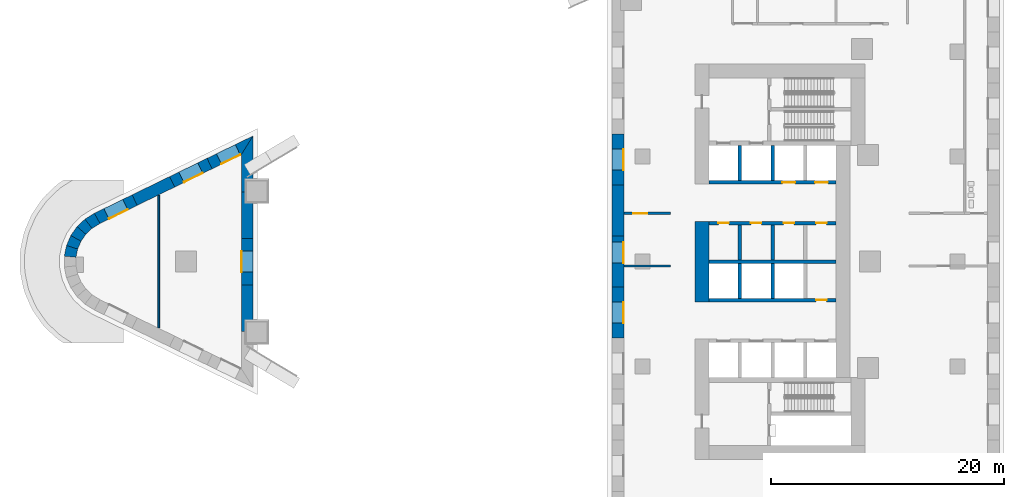
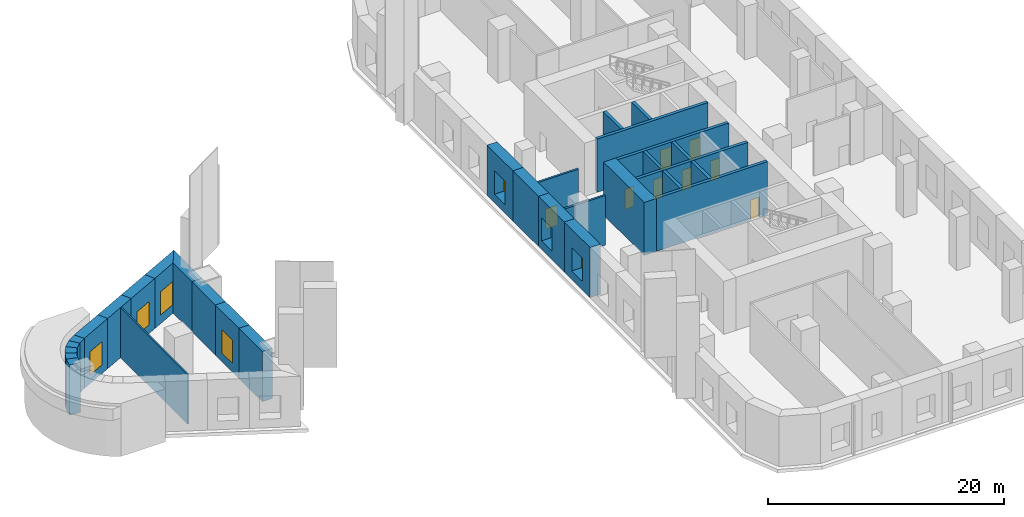
# One storey, part 3 of 13: 31 walls, 8 doors, 7 windows, 15 openings.
"""IFC4 building model written with IfcOpenShell, lengths in metres."""

import ifcopenshell
import ifcopenshell.guid

model = None  # the IFC model being written
_history = None  # IfcOwnerHistory: only IFC2X3 demands one
_inside = {}  # id of a spatial element -> (the spatial element, [elements in it])
_under = {}  # id of a project, library or spatial element -> (it, [spatial elements below it])
_declared = {}  # id of a project -> (the project, [libraries it declares])
_typed = {}  # id of a type object -> (the type object, [elements of that type])
_made_of = {}  # id of a material, layer set ... -> (it, [elements and type objects made of it])


def new_model(schema):
    """Start an empty IFC model of exactly this schema.

    Asked for "IFC4X3", IfcOpenShell would pick the latest addendum, in which some entities
    have other attributes; the version numbers below select the first issue.
    IFC2X3 requires an IfcOwnerHistory on every rooted entity: one is made here for all.
    """
    global model, _history
    if schema == "IFC4X3":
        model = ifcopenshell.file(schema_version=(4, 3, 0, 0))
    else:
        model = ifcopenshell.file(schema=schema)
    _inside.clear()
    _under.clear()
    _declared.clear()
    _typed.clear()
    _made_of.clear()
    _history = None
    if model.schema == "IFC2X3":
        org = make("IfcOrganization", Name="unknown")
        user = make(
            "IfcPersonAndOrganization",
            ThePerson=make("IfcPerson", FamilyName="unknown"),
            TheOrganization=org,
        )
        app = make(
            "IfcApplication",
            ApplicationDeveloper=org,
            Version="unknown",
            ApplicationFullName="unknown",
            ApplicationIdentifier="unknown",
        )
        _history = make(
            "IfcOwnerHistory",
            OwningUser=user,
            OwningApplication=app,
            ChangeAction="ADDED",
            CreationDate=0,
        )
    return model


def make(cls, **values):
    """One entity of the class cls with the attributes given. An attribute that is None is left unset."""
    return model.create_entity(
        cls, **{name: value for name, value in values.items() if value is not None}
    )


def rooted(cls, **values):
    """An entity with a GlobalId (a new one), such as an element, a storey or a relation."""
    return make(cls, GlobalId=ifcopenshell.guid.new(), OwnerHistory=_history, **values)


def si_unit(unit_type, name, prefix=None):
    """IfcSIUnit, for example si_unit("LENGTHUNIT", "METRE", prefix="MILLI")."""
    return make("IfcSIUnit", UnitType=unit_type, Prefix=prefix, Name=name)


def assignment(units):
    """IfcUnitAssignment: the units of a project."""
    return None if units is None else make("IfcUnitAssignment", Units=units)


def point(xyz):
    """IfcCartesianPoint."""
    return None if xyz is None else make("IfcCartesianPoint", Coordinates=xyz)


def direction(xyz):
    """IfcDirection."""
    return None if xyz is None else make("IfcDirection", DirectionRatios=xyz)


def frame(location, z_axis=None, x_axis=None):
    """IfcAxis2Placement3D, a coordinate frame: its origin and axes. An axis left out is left unset."""
    return make(
        "IfcAxis2Placement3D",
        Location=point(location),
        Axis=direction(z_axis),
        RefDirection=direction(x_axis),
    )


def frame_2d(location, x_axis=None):
    """IfcAxis2Placement2D, a coordinate frame in the plane: its origin and x axis."""
    return make(
        "IfcAxis2Placement2D", Location=point(location), RefDirection=direction(x_axis)
    )


def origin():
    """The frame at (0, 0, 0) with its axes left unset."""
    return frame((0.0, 0.0, 0.0))


def place(relative_to, where):
    """IfcLocalPlacement: puts the frame where relative to a parent placement (None: the world)."""
    return make(
        "IfcLocalPlacement", PlacementRelTo=relative_to, RelativePlacement=where
    )


def context(
    kind, dimensions, precision=None, world=None, true_north=None, identifier=None
):
    """IfcGeometricRepresentationContext, for example the 3D "Model" context."""
    return make(
        "IfcGeometricRepresentationContext",
        ContextIdentifier=identifier,
        ContextType=kind,
        CoordinateSpaceDimension=dimensions,
        Precision=precision,
        WorldCoordinateSystem=world,
        TrueNorth=true_north,
    )


def subcontext(parent, identifier, kind, view, scale=None):
    """IfcGeometricRepresentationSubContext, for example "Body" below "Model"."""
    return make(
        "IfcGeometricRepresentationSubContext",
        ContextIdentifier=identifier,
        ContextType=kind,
        ParentContext=parent,
        TargetScale=scale,
        TargetView=view,
    )


def project(units=None, contexts=None):
    """IfcProject with its units and contexts."""
    return rooted(
        "IfcProject",
        Name="project",
        RepresentationContexts=contexts,
        UnitsInContext=assignment(units),
    )


def spatial(cls, under=None, at=None, **own):
    """A site, building, storey or space (cls), placed at a placement, below another one or the project."""
    s = rooted(cls, ObjectPlacement=at, **own)
    if under is not None:
        _under.setdefault(under.id(), (under, []))[1].append(s)
    return s


def polyline(points):
    """IfcPolyline through the points."""
    return make("IfcPolyline", Points=[point(p) for p in points])


def profile(cls, at=None, kind="AREA", **sizes):
    """A parametric profile (cls). Its sizes go by their IFC names, for example OverallWidth=200.0."""
    return make(cls, ProfileType=kind, Position=at, **sizes)


def rectangle(**sizes):
    """IfcRectangleProfileDef."""
    return profile("IfcRectangleProfileDef", **sizes)


def outline(outer, holes=None, kind="AREA"):
    """IfcArbitraryClosedProfileDef: a profile drawn as a closed curve; with holes, ...WithVoids."""
    if holes is None:
        return make("IfcArbitraryClosedProfileDef", ProfileType=kind, OuterCurve=outer)
    return make(
        "IfcArbitraryProfileDefWithVoids",
        ProfileType=kind,
        OuterCurve=outer,
        InnerCurves=holes,
    )


def extrude(swept, where, along, depth):
    """IfcExtrudedAreaSolid: the profile swept, set in the frame where, extruded along a direction by depth."""
    return make(
        "IfcExtrudedAreaSolid",
        SweptArea=swept,
        Position=where,
        ExtrudedDirection=direction(along),
        Depth=depth,
    )


def shape(context_of_items, identifier, shape_type, items):
    """IfcShapeRepresentation: the items that make up one representation, for example the "Body"."""
    return make(
        "IfcShapeRepresentation",
        ContextOfItems=context_of_items,
        RepresentationIdentifier=identifier,
        RepresentationType=shape_type,
        Items=items,
    )


def material(Name=None, Category=None):
    """IfcMaterial."""
    return make("IfcMaterial", Name=Name, Category=Category)


def layer(
    of_material, thickness, ventilated=None, Name=None, Category=None, Priority=None
):
    """IfcMaterialLayer: one layer of a wall or slab, of a material (None: an air gap)."""
    return make(
        "IfcMaterialLayer",
        Material=of_material,
        LayerThickness=thickness,
        IsVentilated=ventilated,
        Name=Name,
        Category=Category,
        Priority=Priority,
    )


def layer_set(layers, Name=None):
    """IfcMaterialLayerSet."""
    return make("IfcMaterialLayerSet", MaterialLayers=layers, LayerSetName=Name)


def made_of(thing, what):
    """Note that an element or type object is made of a material, layer set ...; save() writes the relation."""
    if what is not None:
        _made_of.setdefault(what.id(), (what, []))[1].append(thing)
    return thing


def type_object(cls, material=None, **own):
    """A type object (cls), such as IfcWallType, which elements share."""
    return made_of(rooted(cls, **own), material)


def element(
    cls,
    number,
    at=None,
    inside=None,
    cuts=None,
    type_object=None,
    material=None,
    context=None,
    identifier="Body",
    shape_type=None,
    held_by="IfcProductDefinitionShape",
    body=None,
    shapes=None,
    **own,
):
    """One element of the class cls, such as IfcWall. Its Tag is "e" and its number.

    at: its placement. inside: the storey or other place that contains it. cuts: it is an
    opening in that element (IfcRelVoidsElement). A single representation is given by context,
    identifier, shape_type and body (its items); several are given by shapes. held_by: the class
    of the entity that holds the representations. save() writes the other relations.
    """
    e = rooted(cls, Tag="e%d" % number, ObjectPlacement=at, **own)
    if body is not None:
        shapes = [shape(context, identifier, shape_type, body)]
    if shapes is not None:
        e.Representation = make(held_by, Representations=shapes)
    if inside is not None:
        _inside.setdefault(inside.id(), (inside, []))[1].append(e)
    if cuts is not None:
        rooted(
            "IfcRelVoidsElement", RelatingBuildingElement=cuts, RelatedOpeningElement=e
        )
    if type_object is not None:
        _typed.setdefault(type_object.id(), (type_object, []))[1].append(e)
    return made_of(e, material)


def fill(opening, filler):
    """IfcRelFillsElement: the door or window that sits in an opening."""
    return rooted(
        "IfcRelFillsElement",
        RelatingOpeningElement=opening,
        RelatedBuildingElement=filler,
    )


def aggregate(whole, parts):
    """IfcRelAggregates: a whole, such as a stair, and the parts it consists of."""
    return rooted("IfcRelAggregates", RelatingObject=whole, RelatedObjects=parts)


def save(model, path):
    """Write the relations noted so far, then the file.

    IfcRelAggregates (storeys below a building ...), IfcRelContainedInSpatialStructure (elements
    in a storey), IfcRelDefinesByType, IfcRelAssociatesMaterial and IfcRelDeclares: one each for
    every whole, place, type object, material and project.
    """
    for whole, parts in _under.values():
        aggregate(whole, parts)
    for where, things in _inside.values():
        rooted(
            "IfcRelContainedInSpatialStructure",
            RelatedElements=things,
            RelatingStructure=where,
        )
    for kind, things in _typed.values():
        rooted("IfcRelDefinesByType", RelatedObjects=things, RelatingType=kind)
    for what, things in _made_of.values():
        rooted("IfcRelAssociatesMaterial", RelatedObjects=things, RelatingMaterial=what)
    for by, libraries in _declared.values():
        rooted("IfcRelDeclares", RelatingContext=by, RelatedDefinitions=libraries)
    model.write(path)


model = new_model("IFC4")

# Units and contexts
model_context = context("Model", 3, precision=1e-05, world=origin(), true_north=direction((0.0, 1.0)))
body_context = subcontext(model_context, "Body", "Model", "MODEL_VIEW")
ifc_project = project(units=[si_unit("LENGTHUNIT", "METRE"), si_unit("AREAUNIT", "SQUARE_METRE"), si_unit("VOLUMEUNIT", "CUBIC_METRE"), si_unit("PLANEANGLEUNIT", "RADIAN"), si_unit("MASSUNIT", "GRAM", prefix="KILO")], contexts=[model_context])

# Site, building, storey
site_placement = place(None, origin())
site = spatial("IfcSite", under=ifc_project, at=site_placement, CompositionType="ELEMENT")
building_placement = place(site_placement, origin())
building = spatial("IfcBuilding", under=site, at=building_placement, Name="Ostrand Prow Hotel Tower", CompositionType="ELEMENT")
storey_placement = place(building_placement, frame((0.0, 0.0, 13.5)))
storey = spatial("IfcBuildingStorey", under=building, at=storey_placement, Name="L02", CompositionType="ELEMENT", Elevation=13.5)

# Walls
ifc_material_1 = material(Name="Concrete C80/95", Category="concrete")
ifc_layer_1 = layer(ifc_material_1, 1.199951171875)
ifc_layer_set_1 = layer_set([ifc_layer_1], Name="Concrete C80/95")
wall_type_1 = type_object("IfcWallType", Name="Core wall 1200 C80/95", PredefinedType="SHEAR", material=ifc_layer_set_1)
wall_1_placement = place(storey_placement, frame((50.10009765625, -3.449951171875, 0.0), z_axis=(0.0, 0.0, 1.0), x_axis=(0.0, 1.0, 0.0)))
element("IfcWall", 1, at=wall_1_placement, inside=storey, type_object=wall_type_1, Name="Core wall CW-W-C", PredefinedType="SHEAR", context=body_context, shape_type="SweptSolid", body=[
    extrude(rectangle(XDim=6.89990234375, YDim=1.199951171875, at=frame_2d((3.449951171875, 0.0))), origin(), (0.0, 0.0, 1.0), 5.5),
])
ifc_material_2 = material(Name="Concrete C80/95", Category="concrete")
ifc_layer_2 = layer(ifc_material_2, 0.300048828125)
ifc_layer_set_2 = layer_set([ifc_layer_2], Name="Concrete C80/95")
wall_type_2 = type_object("IfcWallType", Name="Core wall 300 C80/95", PredefinedType="SHEAR", material=ifc_layer_set_2)
wall_2_placement = place(storey_placement, frame((50.699951171875, 0.0, 0.0), z_axis=(0.0, 0.0, 1.0), x_axis=(1.0, 0.0, 0.0)))
element("IfcWall", 2, at=wall_2_placement, inside=storey, type_object=wall_type_2, Name="Core wall PW-C", PredefinedType="SHEAR", context=body_context, shape_type="SweptSolid", body=[
    extrude(rectangle(XDim=10.900146484375, YDim=0.300048828125, at=frame_2d((5.4501953125, 0.0))), origin(), (0.0, 0.0, 1.0), 5.5),
])

# Wall, openings, doors
wall_3_placement = place(storey_placement, frame((50.699951171875, 3.300048828125, 0.0), z_axis=(0.0, 0.0, 1.0), x_axis=(1.0, 0.0, 0.0)))
wall_3 = element("IfcWall", 3, at=wall_3_placement, inside=storey, type_object=wall_type_2, Name="Core wall PW-L1-N", PredefinedType="SHEAR", context=body_context, shape_type="SweptSolid", body=[
    extrude(rectangle(XDim=10.900146484375, YDim=0.300048828125, at=frame_2d((5.4501953125, 0.0))), origin(), (0.0, 0.0, 1.0), 5.5),
])
opening_1_placement = place(wall_3_placement, frame((0.800048828125, 0.0, 0.0)))
opening_1 = element("IfcOpeningElement", 4, at=opening_1_placement, cuts=wall_3, Name="Opening FD2", PredefinedType="OPENING", context=body_context, shape_type="SweptSolid", body=[
    extrude(rectangle(XDim=0.89990234375, YDim=2.10009765625, at=frame_2d((0.449951171875, 1.050048828125))), frame((0.0, 0.159912109375, 0.0), z_axis=(0.0, -1.0, 0.0), x_axis=(1.0, 0.0, 0.0)), (0.0, 0.0, 1.0), 0.320068359375),
])
opening_2_placement = place(wall_3_placement, frame((3.60009765625, 0.0, 0.0)))
opening_2 = element("IfcOpeningElement", 5, at=opening_2_placement, cuts=wall_3, Name="Opening FD2", PredefinedType="OPENING", context=body_context, shape_type="SweptSolid", body=[
    extrude(rectangle(XDim=0.89990234375, YDim=2.10009765625, at=frame_2d((0.449951171875, 1.050048828125))), frame((0.0, 0.159912109375, 0.0), z_axis=(0.0, -1.0, 0.0), x_axis=(1.0, 0.0, 0.0)), (0.0, 0.0, 1.0), 0.320068359375),
])
opening_3_placement = place(wall_3_placement, frame((6.39990234375, 0.0, 0.0)))
opening_3 = element("IfcOpeningElement", 6, at=opening_3_placement, cuts=wall_3, Name="Opening FD2", PredefinedType="OPENING", context=body_context, shape_type="SweptSolid", body=[
    extrude(rectangle(XDim=0.89990234375, YDim=2.10009765625, at=frame_2d((0.449951171875, 1.050048828125))), frame((0.0, 0.159912109375, 0.0), z_axis=(0.0, -1.0, 0.0), x_axis=(1.0, 0.0, 0.0)), (0.0, 0.0, 1.0), 0.320068359375),
])
opening_4_placement = place(wall_3_placement, frame((9.199951171875, 0.0, 0.0)))
opening_4 = element("IfcOpeningElement", 7, at=opening_4_placement, cuts=wall_3, Name="Opening FD2", PredefinedType="OPENING", context=body_context, shape_type="SweptSolid", body=[
    extrude(rectangle(XDim=0.89990234375, YDim=2.10009765625, at=frame_2d((0.449951171875, 1.050048828125))), frame((0.0, 0.159912109375, 0.0), z_axis=(0.0, -1.0, 0.0), x_axis=(1.0, 0.0, 0.0)), (0.0, 0.0, 1.0), 0.320068359375),
])
ifc_material_3 = material(Name="Steel fire door", Category="steel")
door_type_1 = type_object("IfcDoorType", Name="Fire door 900 EI120", OperationType="SINGLE_SWING_LEFT", PredefinedType="DOOR", material=ifc_material_3)
door_1_placement = place(opening_1_placement, origin())
door_1 = element("IfcDoor", 8, at=door_1_placement, inside=storey, type_object=door_type_1, Name="DOOR", OperationType="SINGLE_SWING_LEFT", OverallHeight=2.10009765625, OverallWidth=0.89990234375, PredefinedType="DOOR", context=body_context, shape_type="SweptSolid", body=[
    extrude(rectangle(XDim=0.89990234375, YDim=2.10009765625, at=frame_2d((0.449951171875, 1.050048828125))), frame((0.0, 0.02490234375, 0.0), z_axis=(0.0, -1.0, 0.0), x_axis=(1.0, 0.0, 0.0)), (0.0, 0.0, 1.0), 0.050048828125),
])
fill(opening_1, door_1)
door_2_placement = place(opening_2_placement, origin())
door_2 = element("IfcDoor", 9, at=door_2_placement, inside=storey, type_object=door_type_1, Name="DOOR", OperationType="SINGLE_SWING_LEFT", OverallHeight=2.10009765625, OverallWidth=0.89990234375, PredefinedType="DOOR", context=body_context, shape_type="SweptSolid", body=[
    extrude(rectangle(XDim=0.89990234375, YDim=2.10009765625, at=frame_2d((0.449951171875, 1.050048828125))), frame((0.0, 0.02490234375, 0.0), z_axis=(0.0, -1.0, 0.0), x_axis=(1.0, 0.0, 0.0)), (0.0, 0.0, 1.0), 0.050048828125),
])
fill(opening_2, door_2)
door_3_placement = place(opening_3_placement, origin())
door_3 = element("IfcDoor", 10, at=door_3_placement, inside=storey, type_object=door_type_1, Name="DOOR", OperationType="SINGLE_SWING_LEFT", OverallHeight=2.10009765625, OverallWidth=0.89990234375, PredefinedType="DOOR", context=body_context, shape_type="SweptSolid", body=[
    extrude(rectangle(XDim=0.89990234375, YDim=2.10009765625, at=frame_2d((0.449951171875, 1.050048828125))), frame((0.0, 0.02490234375, 0.0), z_axis=(0.0, -1.0, 0.0), x_axis=(1.0, 0.0, 0.0)), (0.0, 0.0, 1.0), 0.050048828125),
])
fill(opening_3, door_3)
door_4_placement = place(opening_4_placement, origin())
door_4 = element("IfcDoor", 11, at=door_4_placement, inside=storey, type_object=door_type_1, Name="DOOR", OperationType="SINGLE_SWING_LEFT", OverallHeight=2.10009765625, OverallWidth=0.89990234375, PredefinedType="DOOR", context=body_context, shape_type="SweptSolid", body=[
    extrude(rectangle(XDim=0.89990234375, YDim=2.10009765625, at=frame_2d((0.449951171875, 1.050048828125))), frame((0.0, 0.02490234375, 0.0), z_axis=(0.0, -1.0, 0.0), x_axis=(1.0, 0.0, 0.0)), (0.0, 0.0, 1.0), 0.050048828125),
])
fill(opening_4, door_4)

wall_4_placement = place(storey_placement, frame((50.699951171875, 6.800048828125, 0.0), z_axis=(0.0, 0.0, 1.0), x_axis=(1.0, 0.0, 0.0)))
wall_4 = element("IfcWall", 12, at=wall_4_placement, inside=storey, type_object=wall_type_2, Name="Core wall PW-L2-N", PredefinedType="SHEAR", context=body_context, shape_type="SweptSolid", body=[
    extrude(rectangle(XDim=10.900146484375, YDim=0.300048828125, at=frame_2d((5.4501953125, 0.0))), origin(), (0.0, 0.0, 1.0), 5.5),
])
opening_5_placement = place(wall_4_placement, frame((6.300048828125, 0.0, 0.0)))
opening_5 = element("IfcOpeningElement", 13, at=opening_5_placement, cuts=wall_4, Name="Opening LD", PredefinedType="OPENING", context=body_context, shape_type="SweptSolid", body=[
    extrude(rectangle(XDim=1.10009765625, YDim=2.10009765625, at=frame_2d((0.550048828125, 1.050048828125))), frame((0.0, 0.159912109375, 0.0), z_axis=(0.0, -1.0, 0.0), x_axis=(1.0, 0.0, 0.0)), (0.0, 0.0, 1.0), 0.320068359375),
])
opening_6_placement = place(wall_4_placement, frame((9.10009765625, 0.0, 0.0)))
opening_6 = element("IfcOpeningElement", 14, at=opening_6_placement, cuts=wall_4, Name="Opening LD", PredefinedType="OPENING", context=body_context, shape_type="SweptSolid", body=[
    extrude(rectangle(XDim=1.10009765625, YDim=2.10009765625, at=frame_2d((0.550048828125, 1.050048828125))), frame((0.0, 0.159912109375, 0.0), z_axis=(0.0, -1.0, 0.0), x_axis=(1.0, 0.0, 0.0)), (0.0, 0.0, 1.0), 0.320068359375),
])
ifc_material_4 = material(Name="Stainless steel door", Category="steel")
door_type_2 = type_object("IfcDoorType", Name="Lift landing door 1100", OperationType="DOUBLE_DOOR_SLIDING", PredefinedType="DOOR", material=ifc_material_4)
door_5_placement = place(opening_5_placement, origin())
door_5 = element("IfcDoor", 15, at=door_5_placement, inside=storey, type_object=door_type_2, Name="LIFT LANDING DOOR", OperationType="DOUBLE_DOOR_SLIDING", OverallHeight=2.10009765625, OverallWidth=1.10009765625, PredefinedType="DOOR", context=body_context, shape_type="SweptSolid", body=[
    extrude(rectangle(XDim=1.10009765625, YDim=2.10009765625, at=frame_2d((0.550048828125, 1.050048828125))), frame((0.0, 0.02490234375, 0.0), z_axis=(0.0, -1.0, 0.0), x_axis=(1.0, 0.0, 0.0)), (0.0, 0.0, 1.0), 0.050048828125),
])
fill(opening_5, door_5)
door_6_placement = place(opening_6_placement, origin())
door_6 = element("IfcDoor", 16, at=door_6_placement, inside=storey, type_object=door_type_2, Name="LIFT LANDING DOOR", OperationType="DOUBLE_DOOR_SLIDING", OverallHeight=2.10009765625, OverallWidth=1.10009765625, PredefinedType="DOOR", context=body_context, shape_type="SweptSolid", body=[
    extrude(rectangle(XDim=1.10009765625, YDim=2.10009765625, at=frame_2d((0.550048828125, 1.050048828125))), frame((0.0, 0.02490234375, 0.0), z_axis=(0.0, -1.0, 0.0), x_axis=(1.0, 0.0, 0.0)), (0.0, 0.0, 1.0), 0.050048828125),
])
fill(opening_6, door_6)

# Walls
for number, where, z_axis, x_axis, name in (
    (17, (53.35009765625, 0.14990234375, 0.0), (0.0, 0.0, 1.0), (0.0, 1.0, 0.0), "Core wall PW-R1-NB"),
    (18, (53.35009765625, 6.949951171875, 0.0), (0.0, 0.0, 1.0), (0.0, 1.0, 0.0), "Core wall PW-R1-NA"),
    (19, (56.14990234375, 0.14990234375, 0.0), (0.0, 0.0, 1.0), (0.0, 1.0, 0.0), "Core wall PW-R2-NB"),
    (20, (56.14990234375, 6.949951171875, 0.0), (0.0, 0.0, 1.0), (0.0, 1.0, 0.0), "Core wall PW-R2-NA"),
):
    element("IfcWall", number, at=place(storey_placement, frame(where, z_axis=z_axis, x_axis=x_axis)), inside=storey, type_object=wall_type_2, Name=name, PredefinedType="SHEAR", context=body_context, shape_type="SweptSolid", body=[
        extrude(rectangle(XDim=3.0, YDim=0.300048828125, at=frame_2d((1.5, 0.0))), origin(), (0.0, 0.0, 1.0), 5.5),
    ])

# Wall, opening, door
wall_5_placement = place(storey_placement, frame((50.699951171875, -3.300048828125, 0.0), z_axis=(0.0, 0.0, 1.0), x_axis=(1.0, 0.0, 0.0)))
wall_5 = element("IfcWall", 21, at=wall_5_placement, inside=storey, type_object=wall_type_2, Name="Core wall PW-L1-S", PredefinedType="SHEAR", context=body_context, shape_type="SweptSolid", body=[
    extrude(rectangle(XDim=10.900146484375, YDim=0.300048828125, at=frame_2d((5.4501953125, 0.0))), origin(), (0.0, 0.0, 1.0), 5.5),
])
opening_7_placement = place(wall_5_placement, frame((9.199951171875, 0.0, 0.0)))
opening_7 = element("IfcOpeningElement", 22, at=opening_7_placement, cuts=wall_5, Name="Opening FD2", PredefinedType="OPENING", context=body_context, shape_type="SweptSolid", body=[
    extrude(rectangle(XDim=0.89990234375, YDim=2.10009765625, at=frame_2d((0.449951171875, 1.050048828125))), frame((0.0, 0.159912109375, 0.0), z_axis=(0.0, -1.0, 0.0), x_axis=(1.0, 0.0, 0.0)), (0.0, 0.0, 1.0), 0.320068359375),
])
door_7_placement = place(opening_7_placement, origin())
door_7 = element("IfcDoor", 23, at=door_7_placement, inside=storey, type_object=door_type_1, Name="DOOR", OperationType="SINGLE_SWING_LEFT", OverallHeight=2.10009765625, OverallWidth=0.89990234375, PredefinedType="DOOR", context=body_context, shape_type="SweptSolid", body=[
    extrude(rectangle(XDim=0.89990234375, YDim=2.10009765625, at=frame_2d((0.449951171875, 1.050048828125))), frame((0.0, 0.02490234375, 0.0), z_axis=(0.0, -1.0, 0.0), x_axis=(1.0, 0.0, 0.0)), (0.0, 0.0, 1.0), 0.050048828125),
])
fill(opening_7, door_7)

# Walls
for number, where, z_axis, x_axis, name in (
    (24, (53.35009765625, -3.14990234375, 0.0), (0.0, 0.0, 1.0), (0.0, 1.0, 0.0), "Core wall PW-R1-SB"),
    (25, (56.14990234375, -3.14990234375, 0.0), (0.0, 0.0, 1.0), (0.0, 1.0, 0.0), "Core wall PW-R2-SB"),
):
    element("IfcWall", number, at=place(storey_placement, frame(where, z_axis=z_axis, x_axis=x_axis)), inside=storey, type_object=wall_type_2, Name=name, PredefinedType="SHEAR", context=body_context, shape_type="SweptSolid", body=[
        extrude(rectangle(XDim=3.0, YDim=0.300048828125, at=frame_2d((1.5, 0.0))), origin(), (0.0, 0.0, 1.0), 5.5),
    ])
ifc_material_5 = material(Name="Plasterboard partition")
ifc_layer_3 = layer(ifc_material_5, 0.14990234375)
ifc_layer_set_3 = layer_set([ifc_layer_3], Name="Plasterboard partition")
wall_type_3 = type_object("IfcWallType", Name="Partition 150 room partition", PredefinedType="PARTITIONING", material=ifc_layer_set_3)
wall_6_placement = place(storey_placement, frame((3.512939453125, -5.6875, 0.0), z_axis=(0.0, 0.0, 1.0), x_axis=(0.0, 1.0, 0.0)))
element("IfcWall", 26, at=wall_6_placement, inside=storey, type_object=wall_type_3, Name="ROOM PARTITION", PredefinedType="PARTITIONING", context=body_context, shape_type="SweptSolid", body=[
    extrude(rectangle(XDim=11.375, YDim=0.14990234375, at=frame_2d((5.6875, 0.0))), origin(), (0.0, 0.0, 1.0), 5.14990234375),
])
ifc_material_6 = material(Name="Plasterboard partition")
ifc_layer_4 = layer(ifc_material_6, 0.199951171875)
ifc_layer_set_4 = layer_set([ifc_layer_4], Name="Plasterboard partition")
wall_type_4 = type_object("IfcWallType", Name="Partition 200 corridor wall", PredefinedType="PARTITIONING", material=ifc_layer_set_4)
wall_7_placement = place(storey_placement, frame((43.429931640625, -0.376220703125, 0.0), z_axis=(0.0, 0.0, 1.0), x_axis=(1.0, 0.0, 0.0)))
element("IfcWall", 27, at=wall_7_placement, inside=storey, type_object=wall_type_4, Name="CORRIDOR WALL", PredefinedType="PARTITIONING", context=body_context, shape_type="SweptSolid", body=[
    extrude(rectangle(XDim=3.970947265625, YDim=0.199951171875, at=frame_2d((1.9853515625, 0.0))), origin(), (0.0, 0.0, 1.0), 5.14990234375),
])

# Wall, opening, door
wall_8_placement = place(storey_placement, frame((43.429931640625, 4.138671875, 0.0), z_axis=(0.0, 0.0, 1.0), x_axis=(1.0, 0.0, 0.0)))
wall_8 = element("IfcWall", 28, at=wall_8_placement, inside=storey, type_object=wall_type_4, Name="CORRIDOR WALL", PredefinedType="PARTITIONING", context=body_context, shape_type="SweptSolid", body=[
    extrude(rectangle(XDim=3.970947265625, YDim=0.199951171875, at=frame_2d((1.9853515625, 0.0))), origin(), (0.0, 0.0, 1.0), 5.14990234375),
])
opening_8_placement = place(wall_8_placement, frame((0.7705078125, 0.0, 0.0)))
opening_8 = element("IfcOpeningElement", 29, at=opening_8_placement, cuts=wall_8, Name="Opening D12", PredefinedType="OPENING", context=body_context, shape_type="SweptSolid", body=[
    extrude(rectangle(XDim=1.199951171875, YDim=2.10009765625, at=frame_2d((0.60009765625, 1.050048828125))), frame((0.0, 0.10986328125, 0.0), z_axis=(0.0, -1.0, 0.0), x_axis=(1.0, 0.0, 0.0)), (0.0, 0.0, 1.0), 0.219970703125),
])
ifc_material_7 = material(Name="Steel service door", Category="steel")
door_type_3 = type_object("IfcDoorType", Name="Service door 1200", OperationType="SINGLE_SWING_RIGHT", PredefinedType="DOOR", material=ifc_material_7)
door_8_placement = place(opening_8_placement, origin())
door_8 = element("IfcDoor", 30, at=door_8_placement, inside=storey, type_object=door_type_3, Name="DOOR", OperationType="SINGLE_SWING_RIGHT", OverallHeight=2.10009765625, OverallWidth=1.199951171875, PredefinedType="DOOR", context=body_context, shape_type="SweptSolid", body=[
    extrude(rectangle(XDim=1.199951171875, YDim=2.10009765625, at=frame_2d((0.60009765625, 1.050048828125))), frame((0.0, 0.02490234375, 0.0), z_axis=(0.0, -1.0, 0.0), x_axis=(1.0, 0.0, 0.0)), (0.0, 0.0, 1.0), 0.050048828125),
])
fill(opening_8, door_8)

# Wall
ifc_material_8 = material(Name="Precast concrete C40/50", Category="concrete")
ifc_layer_5 = layer(ifc_material_8, 1.0)
ifc_layer_set_5 = layer_set([ifc_layer_5], Name="Precast concrete C40/50")
wall_type_5 = type_object("IfcWallType", Name="Portal pier wall 1000 mm", PredefinedType="NOTDEFINED", material=ifc_layer_set_5)
wall_9_placement = place(storey_placement, frame((11.10009765625, -5.9833984375, 0.0), z_axis=(0.0, 0.0, 1.0), x_axis=(0.0, 1.0, 0.0)))
element("IfcWall", 31, at=wall_9_placement, inside=storey, type_object=wall_type_5, Name="Portal pier wall L02-PP001", PredefinedType="NOTDEFINED", context=body_context, shape_type="SweptSolid", body=[
    extrude(outline(polyline([(0.0, -0.5), (3.989013671875, -0.5), (3.989013671875, 0.5), (0.0, 0.5), (0.0, -0.5)])), origin(), (0.0, 0.0, 1.0), 5.199951171875),
])

# Wall, opening, window
wall_10_placement = place(storey_placement, frame((11.10009765625, -1.994384765625, 0.0), z_axis=(0.0, 0.0, 1.0), x_axis=(0.0, 1.0, 0.0)))
wall_10 = element("IfcWall", 32, at=wall_10_placement, inside=storey, type_object=wall_type_5, Name="Portal pier wall L02-PP002", PredefinedType="NOTDEFINED", context=body_context, shape_type="SweptSolid", body=[
    extrude(outline(polyline([(0.0, -0.5), (3.98876953125, -0.5), (3.98876953125, 0.5), (0.0, 0.5), (0.0, -0.5)])), origin(), (0.0, 0.0, 1.0), 5.199951171875),
])
opening_9_placement = place(wall_10_placement, frame((1.094482421875, 0.0, 0.89990234375)))
opening_9 = element("IfcOpeningElement", 33, at=opening_9_placement, cuts=wall_10, Name="Opening WP2", PredefinedType="OPENING", context=body_context, shape_type="SweptSolid", body=[
    extrude(rectangle(XDim=1.800048828125, YDim=2.39990234375, at=frame_2d((0.89990234375, 1.199951171875))), frame((0.0, 0.510009765625, 0.0), z_axis=(0.0, -1.0, 0.0), x_axis=(1.0, 0.0, 0.0)), (0.0, 0.0, 1.0), 1.02001953125),
])
ifc_material_9 = material(Name="Insulated glass in bronze anodised frame", Category="glass")
window_type = type_object("IfcWindowType", Name="Portal window 1800x2400", PartitioningType="SINGLE_PANEL", PredefinedType="WINDOW", material=ifc_material_9)
window_1_placement = place(opening_9_placement, origin())
window_1 = element("IfcWindow", 34, at=window_1_placement, inside=storey, type_object=window_type, Name="Portal window L02-PP002", OverallHeight=2.39990234375, OverallWidth=1.800048828125, PartitioningType="SINGLE_PANEL", PredefinedType="WINDOW", context=body_context, shape_type="SweptSolid", body=[
    extrude(rectangle(XDim=1.800048828125, YDim=2.39990234375, at=frame_2d((0.89990234375, 1.199951171875))), frame((0.0, 0.5, 0.0), z_axis=(0.0, -1.0, 0.0), x_axis=(1.0, 0.0, 0.0)), (0.0, 0.0, 1.0), 0.06005859375),
])
fill(opening_9, window_1)

# Walls
wall_11_placement = place(storey_placement, frame((11.10009765625, 1.994384765625, 0.0), z_axis=(0.0, 0.0, 1.0), x_axis=(0.0, 1.0, 0.0)))
element("IfcWall", 35, at=wall_11_placement, inside=storey, type_object=wall_type_5, Name="Portal pier wall L02-PP003", PredefinedType="NOTDEFINED", context=body_context, shape_type="SweptSolid", body=[
    extrude(outline(polyline([(0.0, -0.5), (3.989013671875, -0.5), (3.989013671875, 0.5), (0.0, 0.5), (0.0, -0.5)])), origin(), (0.0, 0.0, 1.0), 5.199951171875),
])
wall_12_placement = place(storey_placement, frame((11.10009765625, 5.9833984375, 0.0), z_axis=(0.0, 0.0, 1.0), x_axis=(0.0, 1.0, 0.0)))
element("IfcWall", 36, at=wall_12_placement, inside=storey, type_object=wall_type_5, Name="Portal pier wall L02-PP004", PredefinedType="NOTDEFINED", context=body_context, shape_type="SweptSolid", body=[
    extrude(outline(polyline([(0.0, -0.5), (4.7890625, -0.5), (3.18896484375, 0.5), (0.0, 0.5), (0.0, -0.5)])), origin(), (0.0, 0.0, 1.0), 5.199951171875),
])

# Wall, opening, window
wall_13_placement = place(storey_placement, frame((11.10009765625, 9.972412109375, 0.0), z_axis=(0.0, 0.0, 1.0), x_axis=(-0.89890161674, -0.438150525987, 0.0)))
wall_13 = element("IfcWall", 37, at=wall_13_placement, inside=storey, type_object=wall_type_5, Name="Portal pier wall L02-PP005", PredefinedType="NOTDEFINED", context=body_context, shape_type="SweptSolid", body=[
    extrude(outline(polyline([(-0.800048828125, -0.5), (3.57568359375, -0.5), (3.57568359375, 0.5), (0.800048828125, 0.5), (-0.800048828125, -0.5)])), origin(), (0.0, 0.0, 1.0), 5.199951171875),
])
opening_10_placement = place(wall_13_placement, frame((0.8876953125, 0.0, 0.89990234375)))
opening_10 = element("IfcOpeningElement", 38, at=opening_10_placement, cuts=wall_13, Name="Opening WP2", PredefinedType="OPENING", context=body_context, shape_type="SweptSolid", body=[
    extrude(rectangle(XDim=1.800048828125, YDim=2.39990234375, at=frame_2d((0.89990234375, 1.199951171875))), frame((0.0, 0.510009765625, 0.0), z_axis=(0.0, -1.0, 0.0), x_axis=(1.0, 0.0, 0.0)), (0.0, 0.0, 1.0), 1.02001953125),
])
window_2_placement = place(opening_10_placement, origin())
window_2 = element("IfcWindow", 39, at=window_2_placement, inside=storey, type_object=window_type, Name="Portal window L02-PP005", OverallHeight=2.39990234375, OverallWidth=1.800048828125, PartitioningType="SINGLE_PANEL", PredefinedType="WINDOW", context=body_context, shape_type="SweptSolid", body=[
    extrude(rectangle(XDim=1.800048828125, YDim=2.39990234375, at=frame_2d((0.89990234375, 1.199951171875))), frame((0.0, 0.5, 0.0), z_axis=(0.0, -1.0, 0.0), x_axis=(1.0, 0.0, 0.0)), (0.0, 0.0, 1.0), 0.06005859375),
])
fill(opening_10, window_2)

wall_14_placement = place(storey_placement, frame((7.885986328125, 8.40576171875, 0.0), z_axis=(0.0, 0.0, 1.0), x_axis=(-0.898888507486, -0.43817741967, 0.0)))
wall_14 = element("IfcWall", 40, at=wall_14_placement, inside=storey, type_object=wall_type_5, Name="Portal pier wall L02-PP006", PredefinedType="NOTDEFINED", context=body_context, shape_type="SweptSolid", body=[
    extrude(outline(polyline([(0.0, -0.5), (3.575439453125, -0.5), (3.575439453125, 0.5), (0.0, 0.5), (0.0, -0.5)])), origin(), (0.0, 0.0, 1.0), 5.199951171875),
])
opening_11_placement = place(wall_14_placement, frame((0.8876953125, 0.0, 0.89990234375)))
opening_11 = element("IfcOpeningElement", 41, at=opening_11_placement, cuts=wall_14, Name="Opening WP2", PredefinedType="OPENING", context=body_context, shape_type="SweptSolid", body=[
    extrude(rectangle(XDim=1.800048828125, YDim=2.39990234375, at=frame_2d((0.89990234375, 1.199951171875))), frame((0.0, 0.510009765625, 0.0), z_axis=(0.0, -1.0, 0.0), x_axis=(1.0, 0.0, 0.0)), (0.0, 0.0, 1.0), 1.02001953125),
])
window_3_placement = place(opening_11_placement, origin())
window_3 = element("IfcWindow", 42, at=window_3_placement, inside=storey, type_object=window_type, Name="Portal window L02-PP006", OverallHeight=2.39990234375, OverallWidth=1.800048828125, PartitioningType="SINGLE_PANEL", PredefinedType="WINDOW", context=body_context, shape_type="SweptSolid", body=[
    extrude(rectangle(XDim=1.800048828125, YDim=2.39990234375, at=frame_2d((0.89990234375, 1.199951171875))), frame((0.0, 0.5, 0.0), z_axis=(0.0, -1.0, 0.0), x_axis=(1.0, 0.0, 0.0)), (0.0, 0.0, 1.0), 0.06005859375),
])
fill(opening_11, window_3)

# Wall
wall_15_placement = place(storey_placement, frame((4.672119140625, 6.839111328125, 0.0), z_axis=(0.0, 0.0, 1.0), x_axis=(-0.898848496883, -0.438259488946, 0.0)))
element("IfcWall", 43, at=wall_15_placement, inside=storey, type_object=wall_type_5, Name="Portal pier wall L02-PP007", PredefinedType="NOTDEFINED", context=body_context, shape_type="SweptSolid", body=[
    extrude(outline(polyline([(0.0, -0.5), (3.5751953125, -0.5), (3.5751953125, 0.5), (0.0, 0.5), (0.0, -0.5)])), origin(), (0.0, 0.0, 1.0), 5.199951171875),
])

# Wall, opening, window
wall_16_placement = place(storey_placement, frame((1.45849609375, 5.272216796875, 0.0), z_axis=(0.0, 0.0, 1.0), x_axis=(-0.898874723623, -0.438205695117, 0.0)))
wall_16 = element("IfcWall", 44, at=wall_16_placement, inside=storey, type_object=wall_type_5, Name="Portal pier wall L02-PP008", PredefinedType="NOTDEFINED", context=body_context, shape_type="SweptSolid", body=[
    extrude(outline(polyline([(0.0, -0.5), (3.60107421875, -0.5), (3.55029296875, 0.5), (0.0, 0.5), (0.0, -0.5)])), origin(), (0.0, 0.0, 1.0), 5.199951171875),
])
opening_12_placement = place(wall_16_placement, frame((0.8876953125, 0.0, 0.89990234375)))
opening_12 = element("IfcOpeningElement", 45, at=opening_12_placement, cuts=wall_16, Name="Opening WP2", PredefinedType="OPENING", context=body_context, shape_type="SweptSolid", body=[
    extrude(rectangle(XDim=1.800048828125, YDim=2.39990234375, at=frame_2d((0.89990234375, 1.199951171875))), frame((0.0, 0.510009765625, 0.0), z_axis=(0.0, -1.0, 0.0), x_axis=(1.0, 0.0, 0.0)), (0.0, 0.0, 1.0), 1.02001953125),
])
window_4_placement = place(opening_12_placement, origin())
window_4 = element("IfcWindow", 46, at=window_4_placement, inside=storey, type_object=window_type, Name="Portal window L02-PP008", OverallHeight=2.39990234375, OverallWidth=1.800048828125, PartitioningType="SINGLE_PANEL", PredefinedType="WINDOW", context=body_context, shape_type="SweptSolid", body=[
    extrude(rectangle(XDim=1.800048828125, YDim=2.39990234375, at=frame_2d((0.89990234375, 1.199951171875))), frame((0.0, 0.5, 0.0), z_axis=(0.0, -1.0, 0.0), x_axis=(1.0, 0.0, 0.0)), (0.0, 0.0, 1.0), 0.06005859375),
])
fill(opening_12, window_4)

# Walls
wall_17_placement = place(storey_placement, frame((-1.755615234375, 3.705322265625, 0.0), z_axis=(0.0, 0.0, 1.0), x_axis=(-0.849777890555, -0.527140907846, 0.0)))
element("IfcWall", 47, at=wall_17_placement, inside=storey, type_object=wall_type_5, Name="Portal pier wall L02-PP009", PredefinedType="NOTDEFINED", context=body_context, shape_type="SweptSolid", body=[
    extrude(outline(polyline([(-0.025390625, -0.5), (0.92724609375, -0.5), (0.8251953125, 0.5), (0.025390625, 0.5), (-0.025390625, -0.5)])), origin(), (0.0, 0.0, 1.0), 5.199951171875),
])
wall_18_placement = place(storey_placement, frame((-2.500244140625, 3.243408203125, 0.0), z_axis=(0.0, 0.0, 1.0), x_axis=(-0.726099436492, -0.687589709293, 0.0)))
element("IfcWall", 48, at=wall_18_placement, inside=storey, type_object=wall_type_5, Name="Portal pier wall L02-PP010", PredefinedType="NOTDEFINED", context=body_context, shape_type="SweptSolid", body=[
    extrude(outline(polyline([(-0.051025390625, -0.5), (0.881591796875, -0.5), (0.779541015625, 0.5), (0.051025390625, 0.5), (-0.051025390625, -0.5)])), origin(), (0.0, 0.0, 1.0), 5.199951171875),
])
wall_19_placement = place(storey_placement, frame((-3.103271484375, 2.67236328125, 0.0), z_axis=(0.0, 0.0, 1.0), x_axis=(-0.572416108775, -0.819963290895, 0.0)))
element("IfcWall", 49, at=wall_19_placement, inside=storey, type_object=wall_type_5, Name="Portal pier wall L02-PP011", PredefinedType="NOTDEFINED", context=body_context, shape_type="SweptSolid", body=[
    extrude(outline(polyline([(-0.051025390625, -0.5), (0.88134765625, -0.5), (0.779296875, 0.5), (0.051025390625, 0.5), (-0.051025390625, -0.5)])), origin(), (0.0, 0.0, 1.0), 5.199951171875),
])
wall_20_placement = place(storey_placement, frame((-3.57861328125, 1.991455078125, 0.0), z_axis=(0.0, 0.0, 1.0), x_axis=(-0.395089773053, -0.91864251547, 0.0)))
element("IfcWall", 50, at=wall_20_placement, inside=storey, type_object=wall_type_5, Name="Portal pier wall L02-PP012", PredefinedType="NOTDEFINED", context=body_context, shape_type="SweptSolid", body=[
    extrude(outline(polyline([(-0.051025390625, -0.5), (0.881591796875, -0.5), (0.779541015625, 0.5), (0.051025390625, 0.5), (-0.051025390625, -0.5)])), origin(), (0.0, 0.0, 1.0), 5.199951171875),
])
wall_21_placement = place(storey_placement, frame((-3.90673828125, 1.228515625, 0.0), z_axis=(0.0, 0.0, 1.0), x_axis=(-0.201710996138, -0.979445084748, 0.0)))
element("IfcWall", 51, at=wall_21_placement, inside=storey, type_object=wall_type_5, Name="Portal pier wall L02-PP013", PredefinedType="NOTDEFINED", context=body_context, shape_type="SweptSolid", body=[
    extrude(outline(polyline([(-0.051025390625, -0.5), (0.88134765625, -0.5), (0.779296875, 0.5), (0.051025390625, 0.5), (-0.051025390625, -0.5)])), origin(), (0.0, 0.0, 1.0), 5.199951171875),
])

# Wall, opening, window
wall_22_placement = place(storey_placement, frame((42.89990234375, 10.940185546875, 0.0), z_axis=(0.0, 0.0, 1.0), x_axis=(0.0, -1.0, 0.0)))
wall_22 = element("IfcWall", 52, at=wall_22_placement, inside=storey, type_object=wall_type_5, Name="Portal pier wall L02-PP138", PredefinedType="NOTDEFINED", context=body_context, shape_type="SweptSolid", body=[
    extrude(outline(polyline([(0.0, -0.5), (4.3759765625, -0.5), (4.3759765625, 0.5), (0.0, 0.5), (0.0, -0.5)])), origin(), (0.0, 0.0, 1.0), 5.199951171875),
])
opening_13_placement = place(wall_22_placement, frame((1.2880859375, 0.0, 0.89990234375)))
opening_13 = element("IfcOpeningElement", 53, at=opening_13_placement, cuts=wall_22, Name="Opening WP2", PredefinedType="OPENING", context=body_context, shape_type="SweptSolid", body=[
    extrude(rectangle(XDim=1.800048828125, YDim=2.39990234375, at=frame_2d((0.89990234375, 1.199951171875))), frame((0.0, 0.510009765625, 0.0), z_axis=(0.0, -1.0, 0.0), x_axis=(1.0, 0.0, 0.0)), (0.0, 0.0, 1.0), 1.02001953125),
])
window_5_placement = place(opening_13_placement, origin())
window_5 = element("IfcWindow", 54, at=window_5_placement, inside=storey, type_object=window_type, Name="Portal window L02-PP138", OverallHeight=2.39990234375, OverallWidth=1.800048828125, PartitioningType="SINGLE_PANEL", PredefinedType="WINDOW", context=body_context, shape_type="SweptSolid", body=[
    extrude(rectangle(XDim=1.800048828125, YDim=2.39990234375, at=frame_2d((0.89990234375, 1.199951171875))), frame((0.0, 0.5, 0.0), z_axis=(0.0, -1.0, 0.0), x_axis=(1.0, 0.0, 0.0)), (0.0, 0.0, 1.0), 0.06005859375),
])
fill(opening_13, window_5)

# Wall
wall_23_placement = place(storey_placement, frame((42.89990234375, 6.564208984375, 0.0), z_axis=(0.0, 0.0, 1.0), x_axis=(0.0, -1.0, 0.0)))
element("IfcWall", 55, at=wall_23_placement, inside=storey, type_object=wall_type_5, Name="Portal pier wall L02-PP139", PredefinedType="NOTDEFINED", context=body_context, shape_type="SweptSolid", body=[
    extrude(outline(polyline([(0.0, -0.5), (4.376220703125, -0.5), (4.376220703125, 0.5), (0.0, 0.5), (0.0, -0.5)])), origin(), (0.0, 0.0, 1.0), 5.199951171875),
])

# Wall, opening, window
wall_24_placement = place(storey_placement, frame((42.89990234375, 2.18798828125, 0.0), z_axis=(0.0, 0.0, 1.0), x_axis=(0.0, -1.0, 0.0)))
wall_24 = element("IfcWall", 56, at=wall_24_placement, inside=storey, type_object=wall_type_5, Name="Portal pier wall L02-PP140", PredefinedType="NOTDEFINED", context=body_context, shape_type="SweptSolid", body=[
    extrude(outline(polyline([(0.0, -0.5), (4.3759765625, -0.5), (4.3759765625, 0.5), (0.0, 0.5), (0.0, -0.5)])), origin(), (0.0, 0.0, 1.0), 5.199951171875),
])
opening_14_placement = place(wall_24_placement, frame((0.508056640625, 0.0, 0.89990234375)))
opening_14 = element("IfcOpeningElement", 57, at=opening_14_placement, cuts=wall_24, Name="Opening WP2", PredefinedType="OPENING", context=body_context, shape_type="SweptSolid", body=[
    extrude(rectangle(XDim=1.800048828125, YDim=2.39990234375, at=frame_2d((0.89990234375, 1.199951171875))), frame((0.0, 0.510009765625, 0.0), z_axis=(0.0, -1.0, 0.0), x_axis=(1.0, 0.0, 0.0)), (0.0, 0.0, 1.0), 1.02001953125),
])
window_6_placement = place(opening_14_placement, origin())
window_6 = element("IfcWindow", 58, at=window_6_placement, inside=storey, type_object=window_type, Name="Portal window L02-PP140", OverallHeight=2.39990234375, OverallWidth=1.800048828125, PartitioningType="SINGLE_PANEL", PredefinedType="WINDOW", context=body_context, shape_type="SweptSolid", body=[
    extrude(rectangle(XDim=1.800048828125, YDim=2.39990234375, at=frame_2d((0.89990234375, 1.199951171875))), frame((0.0, 0.5, 0.0), z_axis=(0.0, -1.0, 0.0), x_axis=(1.0, 0.0, 0.0)), (0.0, 0.0, 1.0), 0.06005859375),
])
fill(opening_14, window_6)

wall_25_placement = place(storey_placement, frame((42.89990234375, -2.18798828125, 0.0), z_axis=(0.0, 0.0, 1.0), x_axis=(0.0, -1.0, 0.0)))
wall_25 = element("IfcWall", 59, at=wall_25_placement, inside=storey, type_object=wall_type_5, Name="Portal pier wall L02-PP141", PredefinedType="NOTDEFINED", context=body_context, shape_type="SweptSolid", body=[
    extrude(outline(polyline([(0.0, -0.5), (4.376220703125, -0.5), (4.376220703125, 0.5), (0.0, 0.5), (0.0, -0.5)])), origin(), (0.0, 0.0, 1.0), 5.199951171875),
])
opening_15_placement = place(wall_25_placement, frame((1.2880859375, 0.0, 0.89990234375)))
opening_15 = element("IfcOpeningElement", 60, at=opening_15_placement, cuts=wall_25, Name="Opening WP2", PredefinedType="OPENING", context=body_context, shape_type="SweptSolid", body=[
    extrude(rectangle(XDim=1.800048828125, YDim=2.39990234375, at=frame_2d((0.89990234375, 1.199951171875))), frame((0.0, 0.510009765625, 0.0), z_axis=(0.0, -1.0, 0.0), x_axis=(1.0, 0.0, 0.0)), (0.0, 0.0, 1.0), 1.02001953125),
])
window_7_placement = place(opening_15_placement, origin())
window_7 = element("IfcWindow", 61, at=window_7_placement, inside=storey, type_object=window_type, Name="Portal window L02-PP141", OverallHeight=2.39990234375, OverallWidth=1.800048828125, PartitioningType="SINGLE_PANEL", PredefinedType="WINDOW", context=body_context, shape_type="SweptSolid", body=[
    extrude(rectangle(XDim=1.800048828125, YDim=2.39990234375, at=frame_2d((0.89990234375, 1.199951171875))), frame((0.0, 0.5, 0.0), z_axis=(0.0, -1.0, 0.0), x_axis=(1.0, 0.0, 0.0)), (0.0, 0.0, 1.0), 0.06005859375),
])
fill(opening_15, window_7)

save(model, "model.ifc")
